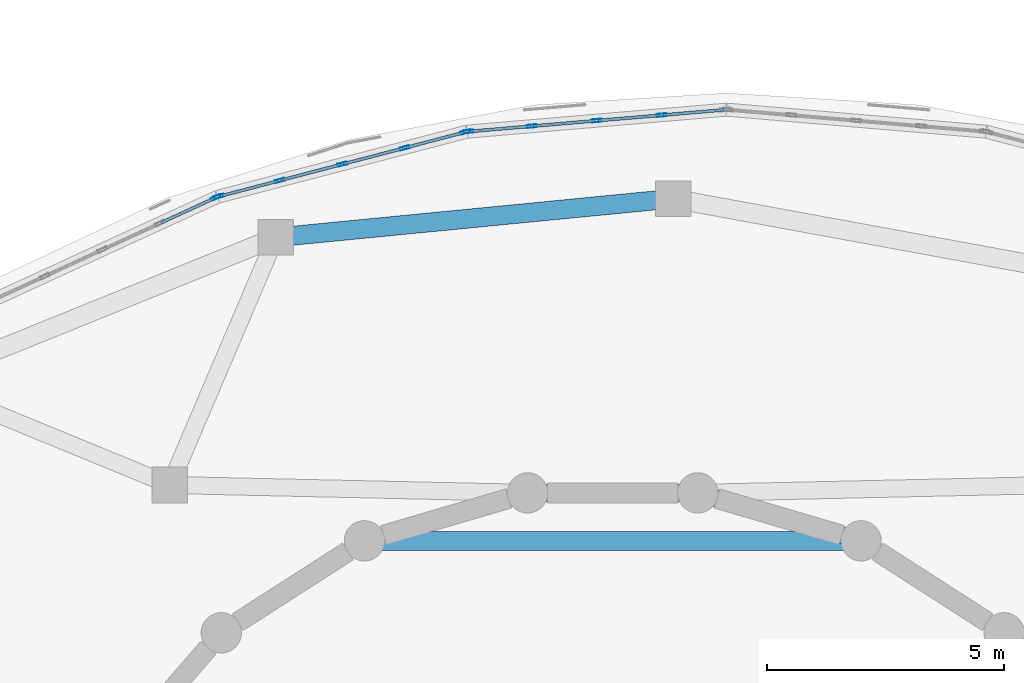
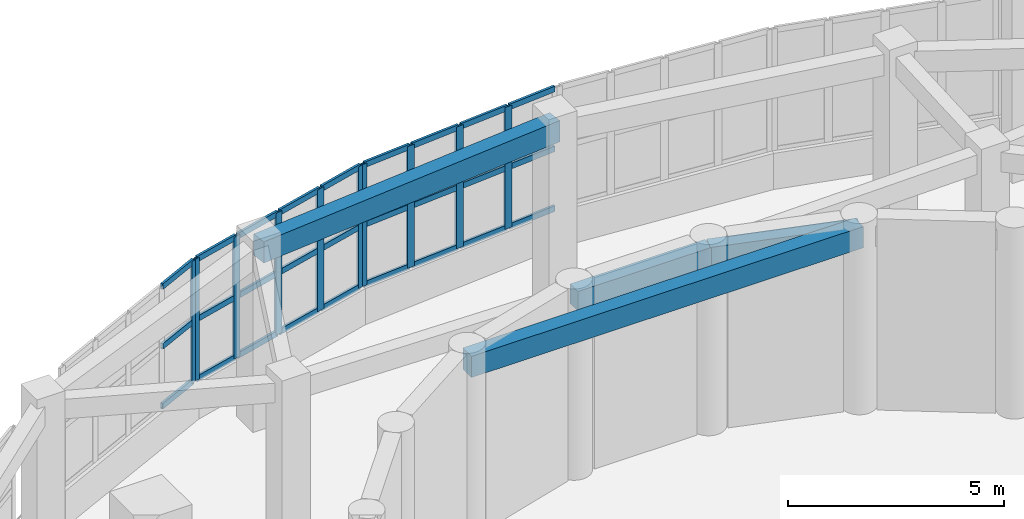
# One storey, part 46 of 96: 37 members, 4 beams, 3 elements without a shape of their own.
"""IFC4 building model written with IfcOpenShell, lengths in metres."""

import ifcopenshell
import ifcopenshell.guid

model = None  # the IFC model being written
_history = None  # IfcOwnerHistory: only IFC2X3 demands one
_inside = {}  # id of a spatial element -> (the spatial element, [elements in it])
_under = {}  # id of a project, library or spatial element -> (it, [spatial elements below it])
_declared = {}  # id of a project -> (the project, [libraries it declares])
_typed = {}  # id of a type object -> (the type object, [elements of that type])
_made_of = {}  # id of a material, layer set ... -> (it, [elements and type objects made of it])


def new_model(schema):
    """Start an empty IFC model of exactly this schema.

    Asked for "IFC4X3", IfcOpenShell would pick the latest addendum, in which some entities
    have other attributes; the version numbers below select the first issue.
    IFC2X3 requires an IfcOwnerHistory on every rooted entity: one is made here for all.
    """
    global model, _history
    if schema == "IFC4X3":
        model = ifcopenshell.file(schema_version=(4, 3, 0, 0))
    else:
        model = ifcopenshell.file(schema=schema)
    _inside.clear()
    _under.clear()
    _declared.clear()
    _typed.clear()
    _made_of.clear()
    _history = None
    if model.schema == "IFC2X3":
        org = make("IfcOrganization", Name="unknown")
        user = make(
            "IfcPersonAndOrganization",
            ThePerson=make("IfcPerson", FamilyName="unknown"),
            TheOrganization=org,
        )
        app = make(
            "IfcApplication",
            ApplicationDeveloper=org,
            Version="unknown",
            ApplicationFullName="unknown",
            ApplicationIdentifier="unknown",
        )
        _history = make(
            "IfcOwnerHistory",
            OwningUser=user,
            OwningApplication=app,
            ChangeAction="ADDED",
            CreationDate=0,
        )
    return model


def make(cls, **values):
    """One entity of the class cls with the attributes given. An attribute that is None is left unset."""
    return model.create_entity(
        cls, **{name: value for name, value in values.items() if value is not None}
    )


def rooted(cls, **values):
    """An entity with a GlobalId (a new one), such as an element, a storey or a relation."""
    return make(cls, GlobalId=ifcopenshell.guid.new(), OwnerHistory=_history, **values)


def si_unit(unit_type, name, prefix=None):
    """IfcSIUnit, for example si_unit("LENGTHUNIT", "METRE", prefix="MILLI")."""
    return make("IfcSIUnit", UnitType=unit_type, Prefix=prefix, Name=name)


def assignment(units):
    """IfcUnitAssignment: the units of a project."""
    return None if units is None else make("IfcUnitAssignment", Units=units)


def point(xyz):
    """IfcCartesianPoint."""
    return None if xyz is None else make("IfcCartesianPoint", Coordinates=xyz)


def direction(xyz):
    """IfcDirection."""
    return None if xyz is None else make("IfcDirection", DirectionRatios=xyz)


def frame(location, z_axis=None, x_axis=None):
    """IfcAxis2Placement3D, a coordinate frame: its origin and axes. An axis left out is left unset."""
    return make(
        "IfcAxis2Placement3D",
        Location=point(location),
        Axis=direction(z_axis),
        RefDirection=direction(x_axis),
    )


def frame_2d(location, x_axis=None):
    """IfcAxis2Placement2D, a coordinate frame in the plane: its origin and x axis."""
    return make(
        "IfcAxis2Placement2D", Location=point(location), RefDirection=direction(x_axis)
    )


def origin():
    """The frame at (0, 0, 0) with its axes left unset."""
    return frame((0.0, 0.0, 0.0))


def origin_2d():
    """The frame at (0, 0) in the plane with its x axis left unset."""
    return frame_2d((0.0, 0.0))


def place(relative_to, where):
    """IfcLocalPlacement: puts the frame where relative to a parent placement (None: the world)."""
    return make(
        "IfcLocalPlacement", PlacementRelTo=relative_to, RelativePlacement=where
    )


def context(
    kind, dimensions, precision=None, world=None, true_north=None, identifier=None
):
    """IfcGeometricRepresentationContext, for example the 3D "Model" context."""
    return make(
        "IfcGeometricRepresentationContext",
        ContextIdentifier=identifier,
        ContextType=kind,
        CoordinateSpaceDimension=dimensions,
        Precision=precision,
        WorldCoordinateSystem=world,
        TrueNorth=true_north,
    )


def subcontext(parent, identifier, kind, view, scale=None):
    """IfcGeometricRepresentationSubContext, for example "Body" below "Model"."""
    return make(
        "IfcGeometricRepresentationSubContext",
        ContextIdentifier=identifier,
        ContextType=kind,
        ParentContext=parent,
        TargetScale=scale,
        TargetView=view,
    )


def project(units=None, contexts=None):
    """IfcProject with its units and contexts."""
    return rooted(
        "IfcProject",
        Name="project",
        RepresentationContexts=contexts,
        UnitsInContext=assignment(units),
    )


def spatial(cls, under=None, at=None, **own):
    """A site, building, storey or space (cls), placed at a placement, below another one or the project."""
    s = rooted(cls, ObjectPlacement=at, **own)
    if under is not None:
        _under.setdefault(under.id(), (under, []))[1].append(s)
    return s


def profile(cls, at=None, kind="AREA", **sizes):
    """A parametric profile (cls). Its sizes go by their IFC names, for example OverallWidth=200.0."""
    return make(cls, ProfileType=kind, Position=at, **sizes)


def rectangle(**sizes):
    """IfcRectangleProfileDef."""
    return profile("IfcRectangleProfileDef", **sizes)


def hollow_rectangle(**sizes):
    """IfcRectangleHollowProfileDef."""
    return profile("IfcRectangleHollowProfileDef", **sizes)


def extrude(swept, where, along, depth):
    """IfcExtrudedAreaSolid: the profile swept, set in the frame where, extruded along a direction by depth."""
    return make(
        "IfcExtrudedAreaSolid",
        SweptArea=swept,
        Position=where,
        ExtrudedDirection=direction(along),
        Depth=depth,
    )


def shape(context_of_items, identifier, shape_type, items):
    """IfcShapeRepresentation: the items that make up one representation, for example the "Body"."""
    return make(
        "IfcShapeRepresentation",
        ContextOfItems=context_of_items,
        RepresentationIdentifier=identifier,
        RepresentationType=shape_type,
        Items=items,
    )


def material(Name=None, Category=None):
    """IfcMaterial."""
    return make("IfcMaterial", Name=Name, Category=Category)


def layer(
    of_material, thickness, ventilated=None, Name=None, Category=None, Priority=None
):
    """IfcMaterialLayer: one layer of a wall or slab, of a material (None: an air gap)."""
    return make(
        "IfcMaterialLayer",
        Material=of_material,
        LayerThickness=thickness,
        IsVentilated=ventilated,
        Name=Name,
        Category=Category,
        Priority=Priority,
    )


def layer_set(layers, Name=None):
    """IfcMaterialLayerSet."""
    return make("IfcMaterialLayerSet", MaterialLayers=layers, LayerSetName=Name)


def material_profile(
    of_material, cross_section, Name=None, Category=None, Priority=None
):
    """IfcMaterialProfile: a cross section and its material."""
    return make(
        "IfcMaterialProfile",
        Name=Name,
        Material=of_material,
        Profile=cross_section,
        Priority=Priority,
        Category=Category,
    )


def profile_set(profiles, Name=None, composite=None):
    """IfcMaterialProfileSet."""
    return make(
        "IfcMaterialProfileSet",
        Name=Name,
        MaterialProfiles=profiles,
        CompositeProfile=composite,
    )


def made_of(thing, what):
    """Note that an element or type object is made of a material, layer set ...; save() writes the relation."""
    if what is not None:
        _made_of.setdefault(what.id(), (what, []))[1].append(thing)
    return thing


def type_object(cls, material=None, **own):
    """A type object (cls), such as IfcWallType, which elements share."""
    return made_of(rooted(cls, **own), material)


def element(
    cls,
    number,
    at=None,
    inside=None,
    cuts=None,
    type_object=None,
    material=None,
    context=None,
    identifier="Body",
    shape_type=None,
    held_by="IfcProductDefinitionShape",
    body=None,
    shapes=None,
    **own,
):
    """One element of the class cls, such as IfcWall. Its Tag is "e" and its number.

    at: its placement. inside: the storey or other place that contains it. cuts: it is an
    opening in that element (IfcRelVoidsElement). A single representation is given by context,
    identifier, shape_type and body (its items); several are given by shapes. held_by: the class
    of the entity that holds the representations. save() writes the other relations.
    """
    e = rooted(cls, Tag="e%d" % number, ObjectPlacement=at, **own)
    if body is not None:
        shapes = [shape(context, identifier, shape_type, body)]
    if shapes is not None:
        e.Representation = make(held_by, Representations=shapes)
    if inside is not None:
        _inside.setdefault(inside.id(), (inside, []))[1].append(e)
    if cuts is not None:
        rooted(
            "IfcRelVoidsElement", RelatingBuildingElement=cuts, RelatedOpeningElement=e
        )
    if type_object is not None:
        _typed.setdefault(type_object.id(), (type_object, []))[1].append(e)
    return made_of(e, material)


def aggregate(whole, parts):
    """IfcRelAggregates: a whole, such as a stair, and the parts it consists of."""
    return rooted("IfcRelAggregates", RelatingObject=whole, RelatedObjects=parts)


def save(model, path):
    """Write the relations noted so far, then the file.

    IfcRelAggregates (storeys below a building ...), IfcRelContainedInSpatialStructure (elements
    in a storey), IfcRelDefinesByType, IfcRelAssociatesMaterial and IfcRelDeclares: one each for
    every whole, place, type object, material and project.
    """
    for whole, parts in _under.values():
        aggregate(whole, parts)
    for where, things in _inside.values():
        rooted(
            "IfcRelContainedInSpatialStructure",
            RelatedElements=things,
            RelatingStructure=where,
        )
    for kind, things in _typed.values():
        rooted("IfcRelDefinesByType", RelatedObjects=things, RelatingType=kind)
    for what, things in _made_of.values():
        rooted("IfcRelAssociatesMaterial", RelatedObjects=things, RelatingMaterial=what)
    for by, libraries in _declared.values():
        rooted("IfcRelDeclares", RelatingContext=by, RelatedDefinitions=libraries)
    model.write(path)


model = new_model("IFC4")

# Units and contexts
model_context = context("Model", 3, precision=1e-05, world=origin(), true_north=direction((0.0, 1.0)))
body_context = subcontext(model_context, "Body", "Model", "MODEL_VIEW")
ifc_project = project(units=[si_unit("LENGTHUNIT", "METRE"), si_unit("AREAUNIT", "SQUARE_METRE"), si_unit("VOLUMEUNIT", "CUBIC_METRE"), si_unit("PLANEANGLEUNIT", "RADIAN"), si_unit("MASSUNIT", "GRAM", prefix="KILO")], contexts=[model_context])

# Site, building, storey
site_placement = place(None, origin())
site = spatial("IfcSite", under=ifc_project, at=site_placement, CompositionType="ELEMENT")
building_placement = place(site_placement, origin())
building = spatial("IfcBuilding", under=site, at=building_placement, Name="Pelvatis Terrace Science Centre", CompositionType="ELEMENT")
storey_placement = place(building_placement, origin())
storey = spatial("IfcBuildingStorey", under=building, at=storey_placement, Name="L00", CompositionType="ELEMENT", Elevation=0.0)

# Beams
ifc_material_1 = material(Name="Concrete C35/45", Category="concrete")
ifc_material_profile_1 = material_profile(ifc_material_1, rectangle(XDim=0.360107421875, YDim=0.550048828125, at=origin_2d()), Name="RC-BM 360x550")
ifc_profile_set_1 = profile_set([ifc_material_profile_1], Name="Concrete C35/45")
beam_type_1 = type_object("IfcBeamType", Name="BM-RC-360x550", PredefinedType="BEAM", material=ifc_profile_set_1)
beam_1_placement = place(storey_placement, frame((114.43408203125, 97.261474609375, 4.864990234375), z_axis=(-0.959499815423, 0.281709254734, 0.0), x_axis=(-0.281709254734, -0.959499815423, 0.0)))
element("IfcBeam", 1, at=beam_1_placement, inside=storey, type_object=beam_type_1, Name="Beam BM-L00-2177", PredefinedType="BEAM", context=body_context, shape_type="SweptSolid", body=[
    extrude(rectangle(XDim=0.360107421875, YDim=0.550048828125, at=origin_2d()), origin(), (0.0, 0.0, 1.0), 3.586181640625),
])
beam_2_placement = place(storey_placement, frame((110.9931640625, 98.271728515625, 4.864990234375), z_axis=(-1.0, 0.0, 0.0), x_axis=(0.0, -1.0, 0.0)))
element("IfcBeam", 2, at=beam_2_placement, inside=storey, type_object=beam_type_1, Name="Beam BM-L00-2179", PredefinedType="BEAM", context=body_context, shape_type="SweptSolid", body=[
    extrude(rectangle(XDim=0.360107421875, YDim=0.550048828125, at=origin_2d()), origin(), (0.0, 0.0, 1.0), 3.58642578125),
])
ifc_material_2 = material(Name="Concrete C35/45", Category="concrete")
ifc_material_profile_2 = material_profile(ifc_material_2, rectangle(XDim=0.39990234375, YDim=0.60009765625, at=origin_2d()), Name="RC-BM 400x600")
ifc_profile_set_2 = profile_set([ifc_material_profile_2], Name="Concrete C35/45")
beam_type_2 = type_object("IfcBeamType", Name="BM-RC-400x600", PredefinedType="BEAM", material=ifc_profile_set_2)
beam_3_placement = place(storey_placement, frame((114.43408203125, 97.261474609375, 4.840087890625), z_axis=(-1.0, 0.0, 0.0), x_axis=(0.0, -1.0, 0.0)))
element("IfcBeam", 3, at=beam_3_placement, inside=storey, type_object=beam_type_2, Name="Beam BM-L00-2178", PredefinedType="BEAM", context=body_context, shape_type="SweptSolid", body=[
    extrude(rectangle(XDim=0.39990234375, YDim=0.60009765625, at=origin_2d()), origin(), (0.0, 0.0, 1.0), 10.46826171875),
])
beam_4_placement = place(storey_placement, frame((110.4716796875, 104.4736328125, 4.840087890625), z_axis=(-0.995278052194, -0.097064920652, 0.0), x_axis=(0.097064920652, -0.995278052194, 0.0)))
element("IfcBeam", 4, at=beam_4_placement, inside=storey, type_object=beam_type_2, Name="Beam BM-L00-2267", PredefinedType="BEAM", context=body_context, shape_type="SweptSolid", body=[
    extrude(rectangle(XDim=0.39990234375, YDim=0.60009765625, at=origin_2d()), origin(), (0.0, 0.0, 1.0), 8.416015625),
])

# Curtain wall, members
ifc_material_3 = material(Name="Bronze-anodised aluminium and laminated glass", Category="aluminium")
ifc_layer = layer(ifc_material_3, 0.199951171875)
ifc_layer_set = layer_set([ifc_layer], Name="Bronze-anodised aluminium and laminated glass")
curtain_wall_type = type_object("IfcCurtainWallType", Name="CW-RIBBON-B", PredefinedType="NOTDEFINED", material=ifc_layer_set)
curtain_wall_1_placement = place(storey_placement, origin())
curtain_wall_1 = element("IfcCurtainWall", 5, at=curtain_wall_1_placement, inside=storey, type_object=curtain_wall_type, Name="Ribbon curtain wall CW-108 (L00)", PredefinedType="NOTDEFINED")
ifc_material_4 = material(Name="Bronze-anodised aluminium 6063-T6", Category="aluminium")
ifc_material_profile_3 = material_profile(ifc_material_4, hollow_rectangle(XDim=0.06494140625, YDim=0.199951171875, WallThickness=0.00439453125, at=origin_2d()), Name="ALU-MUL 65x200")
ifc_profile_set_3 = profile_set([ifc_material_profile_3], Name="Bronze-anodised aluminium 6063-T6")
member_type_1 = type_object("IfcMemberType", Name="CWM-65x200", PredefinedType="MULLION", material=ifc_profile_set_3)
member_1_placement = place(storey_placement, frame((110.23193359375, 106.23388671875, 1.02001953125), z_axis=(0.0, 0.0, 1.0), x_axis=(0.084487507255, -0.996424538597, 0.0)))
member_1 = element("IfcMember", 6, at=member_1_placement, type_object=member_type_1, Name="CW-108 mullion 2", PredefinedType="MULLION", context=body_context, shape_type="SweptSolid", body=[
    extrude(hollow_rectangle(XDim=0.06494140625, YDim=0.199951171875, WallThickness=0.00439453125, at=origin_2d()), origin(), (0.0, 0.0, 1.0), 3.43994140625),
])
member_2_placement = place(storey_placement, frame((108.86376953125, 106.117919921875, 1.02001953125), z_axis=(0.0, 0.0, 1.0), x_axis=(0.084487507255, -0.996424538597, 0.0)))
member_2 = element("IfcMember", 7, at=member_2_placement, type_object=member_type_1, Name="CW-108 mullion 3", PredefinedType="MULLION", context=body_context, shape_type="SweptSolid", body=[
    extrude(hollow_rectangle(XDim=0.06494140625, YDim=0.199951171875, WallThickness=0.00439453125, at=origin_2d()), origin(), (0.0, 0.0, 1.0), 3.43994140625),
])
member_3_placement = place(storey_placement, frame((107.495849609375, 106.001953125, 1.02001953125), z_axis=(0.0, 0.0, 1.0), x_axis=(0.084487507255, -0.996424538597, 0.0)))
member_3 = element("IfcMember", 8, at=member_3_placement, type_object=member_type_1, Name="CW-108 mullion 4", PredefinedType="MULLION", context=body_context, shape_type="SweptSolid", body=[
    extrude(hollow_rectangle(XDim=0.06494140625, YDim=0.199951171875, WallThickness=0.00439453125, at=origin_2d()), origin(), (0.0, 0.0, 1.0), 3.43994140625),
])
member_4_placement = place(storey_placement, frame((106.16015625, 105.888671875, 1.02001953125), z_axis=(0.0, 0.0, 1.0), x_axis=(0.084487507255, -0.996424538597, 0.0)))
member_4 = element("IfcMember", 9, at=member_4_placement, type_object=member_type_1, Name="CW-108 mullion 5", PredefinedType="MULLION", context=body_context, shape_type="SweptSolid", body=[
    extrude(hollow_rectangle(XDim=0.06494140625, YDim=0.199951171875, WallThickness=0.00439453125, at=origin_2d()), origin(), (0.0, 0.0, 1.0), 3.43994140625),
])

curtain_wall_2_placement = place(storey_placement, origin())
curtain_wall_2 = element("IfcCurtainWall", 10, at=curtain_wall_2_placement, inside=storey, type_object=curtain_wall_type, Name="Ribbon curtain wall CW-109 (L00)", PredefinedType="NOTDEFINED")
member_5_placement = place(storey_placement, frame((106.09619140625, 105.877685546875, 1.02001953125), z_axis=(0.0, 0.0, 1.0), x_axis=(0.252698088449, -0.967545180389, 0.0)))
member_5 = element("IfcMember", 11, at=member_5_placement, type_object=member_type_1, Name="CW-109 mullion 1", PredefinedType="MULLION", context=body_context, shape_type="SweptSolid", body=[
    extrude(hollow_rectangle(XDim=0.06494140625, YDim=0.199951171875, WallThickness=0.00439453125, at=origin_2d()), origin(), (0.0, 0.0, 1.0), 3.43994140625),
])
member_6_placement = place(storey_placement, frame((104.812255859375, 105.54248046875, 1.02001953125), z_axis=(0.0, 0.0, 1.0), x_axis=(0.252698088449, -0.967545180389, 0.0)))
member_6 = element("IfcMember", 12, at=member_6_placement, type_object=member_type_1, Name="CW-109 mullion 2", PredefinedType="MULLION", context=body_context, shape_type="SweptSolid", body=[
    extrude(hollow_rectangle(XDim=0.06494140625, YDim=0.199951171875, WallThickness=0.00439453125, at=origin_2d()), origin(), (0.0, 0.0, 1.0), 3.43994140625),
])
member_7_placement = place(storey_placement, frame((103.49658203125, 105.19873046875, 1.02001953125), z_axis=(0.0, 0.0, 1.0), x_axis=(0.252698088449, -0.967545180389, 0.0)))
member_7 = element("IfcMember", 13, at=member_7_placement, type_object=member_type_1, Name="CW-109 mullion 3", PredefinedType="MULLION", context=body_context, shape_type="SweptSolid", body=[
    extrude(hollow_rectangle(XDim=0.06494140625, YDim=0.199951171875, WallThickness=0.00439453125, at=origin_2d()), origin(), (0.0, 0.0, 1.0), 3.43994140625),
])
member_8_placement = place(storey_placement, frame((102.18115234375, 104.855224609375, 1.02001953125), z_axis=(0.0, 0.0, 1.0), x_axis=(0.252698088449, -0.967545180389, 0.0)))
member_8 = element("IfcMember", 14, at=member_8_placement, type_object=member_type_1, Name="CW-109 mullion 4", PredefinedType="MULLION", context=body_context, shape_type="SweptSolid", body=[
    extrude(hollow_rectangle(XDim=0.06494140625, YDim=0.199951171875, WallThickness=0.00439453125, at=origin_2d()), origin(), (0.0, 0.0, 1.0), 3.43994140625),
])
member_9_placement = place(storey_placement, frame((100.897216796875, 104.52001953125, 1.02001953125), z_axis=(0.0, 0.0, 1.0), x_axis=(0.252698088449, -0.967545180389, 0.0)))
member_9 = element("IfcMember", 15, at=member_9_placement, type_object=member_type_1, Name="CW-109 mullion 5", PredefinedType="MULLION", context=body_context, shape_type="SweptSolid", body=[
    extrude(hollow_rectangle(XDim=0.06494140625, YDim=0.199951171875, WallThickness=0.00439453125, at=origin_2d()), origin(), (0.0, 0.0, 1.0), 3.43994140625),
])

# Curtain wall, member
curtain_wall_3_placement = place(storey_placement, origin())
curtain_wall_3 = element("IfcCurtainWall", 16, at=curtain_wall_3_placement, inside=storey, type_object=curtain_wall_type, Name="Ribbon curtain wall CW-110 (L00)", PredefinedType="NOTDEFINED")
member_10_placement = place(storey_placement, frame((100.836181640625, 104.498046875, 1.02001953125), z_axis=(0.0, 0.0, 1.0), x_axis=(0.41805650264, -0.908421026067, 0.0)))
member_10 = element("IfcMember", 17, at=member_10_placement, type_object=member_type_1, Name="CW-110 mullion 1", PredefinedType="MULLION", context=body_context, shape_type="SweptSolid", body=[
    extrude(hollow_rectangle(XDim=0.06494140625, YDim=0.199951171875, WallThickness=0.00439453125, at=origin_2d()), origin(), (0.0, 0.0, 1.0), 3.43994140625),
])

# Member
ifc_material_5 = material(Name="Bronze-anodised aluminium 6063-T6", Category="aluminium")
ifc_material_profile_4 = material_profile(ifc_material_5, hollow_rectangle(XDim=0.06494140625, YDim=0.159912109375, WallThickness=0.00390625, at=origin_2d()), Name="ALU-TRN 65x160")
ifc_profile_set_4 = profile_set([ifc_material_profile_4], Name="Bronze-anodised aluminium 6063-T6")
member_type_2 = type_object("IfcMemberType", Name="CWT-65x160", PredefinedType="USERDEFINED", material=ifc_profile_set_4)
member_11_placement = place(storey_placement, frame((111.53515625, 106.344482421875, 1.052490234375), z_axis=(-0.99642994279, -0.084423747314, 0.0), x_axis=(0.084423747314, -0.99642994279, 0.0)))
member_11 = element("IfcMember", 18, at=member_11_placement, type_object=member_type_2, Name="CW-108 transom 1.1", ObjectType="TRANSOM", PredefinedType="USERDEFINED", context=body_context, shape_type="SweptSolid", body=[
    extrude(hollow_rectangle(XDim=0.06494140625, YDim=0.159912109375, WallThickness=0.00390625, at=origin_2d()), origin(), (0.0, 0.0, 1.0), 1.275390625),
])

member_12_placement = place(storey_placement, frame((111.53515625, 106.344482421875, 2.739990234375), z_axis=(-0.99642994279, -0.084423747314, 0.0), x_axis=(0.084423747314, -0.99642994279, 0.0)))
member_12 = element("IfcMember", 19, at=member_12_placement, type_object=member_type_2, Name="CW-108 transom 1.2", ObjectType="TRANSOM", PredefinedType="USERDEFINED", context=body_context, shape_type="SweptSolid", body=[
    extrude(hollow_rectangle(XDim=0.06494140625, YDim=0.159912109375, WallThickness=0.00390625, at=origin_2d()), origin(), (0.0, 0.0, 1.0), 1.275390625),
])

member_13_placement = place(storey_placement, frame((111.53515625, 106.344482421875, 4.427490234375), z_axis=(-0.99642994279, -0.084423747314, 0.0), x_axis=(0.084423747314, -0.99642994279, 0.0)))
member_13 = element("IfcMember", 20, at=member_13_placement, type_object=member_type_2, Name="CW-108 transom 1.3", ObjectType="TRANSOM", PredefinedType="USERDEFINED", context=body_context, shape_type="SweptSolid", body=[
    extrude(hollow_rectangle(XDim=0.06494140625, YDim=0.159912109375, WallThickness=0.00390625, at=origin_2d()), origin(), (0.0, 0.0, 1.0), 1.275390625),
])

member_14_placement = place(storey_placement, frame((110.199462890625, 106.231201171875, 1.052490234375), z_axis=(-0.996434159171, -0.084373967768, 0.0), x_axis=(0.084373967768, -0.996434159171, 0.0)))
member_14 = element("IfcMember", 21, at=member_14_placement, type_object=member_type_2, Name="CW-108 transom 2.1", ObjectType="TRANSOM", PredefinedType="USERDEFINED", context=body_context, shape_type="SweptSolid", body=[
    extrude(hollow_rectangle(XDim=0.06494140625, YDim=0.159912109375, WallThickness=0.00390625, at=origin_2d()), origin(), (0.0, 0.0, 1.0), 1.307861328125),
])

member_15_placement = place(storey_placement, frame((110.199462890625, 106.231201171875, 2.739990234375), z_axis=(-0.996434159171, -0.084373967768, 0.0), x_axis=(0.084373967768, -0.996434159171, 0.0)))
member_15 = element("IfcMember", 22, at=member_15_placement, type_object=member_type_2, Name="CW-108 transom 2.2", ObjectType="TRANSOM", PredefinedType="USERDEFINED", context=body_context, shape_type="SweptSolid", body=[
    extrude(hollow_rectangle(XDim=0.06494140625, YDim=0.159912109375, WallThickness=0.00390625, at=origin_2d()), origin(), (0.0, 0.0, 1.0), 1.307861328125),
])

member_16_placement = place(storey_placement, frame((110.199462890625, 106.231201171875, 4.427490234375), z_axis=(-0.996434159171, -0.084373967768, 0.0), x_axis=(0.084373967768, -0.996434159171, 0.0)))
member_16 = element("IfcMember", 23, at=member_16_placement, type_object=member_type_2, Name="CW-108 transom 2.3", ObjectType="TRANSOM", PredefinedType="USERDEFINED", context=body_context, shape_type="SweptSolid", body=[
    extrude(hollow_rectangle(XDim=0.06494140625, YDim=0.159912109375, WallThickness=0.00390625, at=origin_2d()), origin(), (0.0, 0.0, 1.0), 1.307861328125),
])

member_17_placement = place(storey_placement, frame((108.83154296875, 106.115234375, 1.052490234375), z_axis=(-0.996419782753, -0.084543577746, 0.0), x_axis=(0.084543577746, -0.996419782753, 0.0)))
member_17 = element("IfcMember", 24, at=member_17_placement, type_object=member_type_2, Name="CW-108 transom 3.1", ObjectType="TRANSOM", PredefinedType="USERDEFINED", context=body_context, shape_type="SweptSolid", body=[
    extrude(hollow_rectangle(XDim=0.06494140625, YDim=0.159912109375, WallThickness=0.00390625, at=origin_2d()), origin(), (0.0, 0.0, 1.0), 1.30810546875),
])

member_18_placement = place(storey_placement, frame((108.83154296875, 106.115234375, 2.739990234375), z_axis=(-0.996419782753, -0.084543577746, 0.0), x_axis=(0.084543577746, -0.996419782753, 0.0)))
member_18 = element("IfcMember", 25, at=member_18_placement, type_object=member_type_2, Name="CW-108 transom 3.2", ObjectType="TRANSOM", PredefinedType="USERDEFINED", context=body_context, shape_type="SweptSolid", body=[
    extrude(hollow_rectangle(XDim=0.06494140625, YDim=0.159912109375, WallThickness=0.00390625, at=origin_2d()), origin(), (0.0, 0.0, 1.0), 1.30810546875),
])

member_19_placement = place(storey_placement, frame((108.83154296875, 106.115234375, 4.427490234375), z_axis=(-0.996419782753, -0.084543577746, 0.0), x_axis=(0.084543577746, -0.996419782753, 0.0)))
member_19 = element("IfcMember", 26, at=member_19_placement, type_object=member_type_2, Name="CW-108 transom 3.3", ObjectType="TRANSOM", PredefinedType="USERDEFINED", context=body_context, shape_type="SweptSolid", body=[
    extrude(hollow_rectangle(XDim=0.06494140625, YDim=0.159912109375, WallThickness=0.00390625, at=origin_2d()), origin(), (0.0, 0.0, 1.0), 1.30810546875),
])

member_20_placement = place(storey_placement, frame((107.46337890625, 105.999267578125, 1.052490234375), z_axis=(-0.996431306843, -0.084407646239, 0.0), x_axis=(0.084407646239, -0.996431306843, 0.0)))
member_20 = element("IfcMember", 27, at=member_20_placement, type_object=member_type_2, Name="CW-108 transom 4.1", ObjectType="TRANSOM", PredefinedType="USERDEFINED", context=body_context, shape_type="SweptSolid", body=[
    extrude(hollow_rectangle(XDim=0.06494140625, YDim=0.159912109375, WallThickness=0.00390625, at=origin_2d()), origin(), (0.0, 0.0, 1.0), 1.275634765625),
])

member_21_placement = place(storey_placement, frame((107.46337890625, 105.999267578125, 2.739990234375), z_axis=(-0.996431306843, -0.084407646239, 0.0), x_axis=(0.084407646239, -0.996431306843, 0.0)))
member_21 = element("IfcMember", 28, at=member_21_placement, type_object=member_type_2, Name="CW-108 transom 4.2", ObjectType="TRANSOM", PredefinedType="USERDEFINED", context=body_context, shape_type="SweptSolid", body=[
    extrude(hollow_rectangle(XDim=0.06494140625, YDim=0.159912109375, WallThickness=0.00390625, at=origin_2d()), origin(), (0.0, 0.0, 1.0), 1.275634765625),
])

member_22_placement = place(storey_placement, frame((107.46337890625, 105.999267578125, 4.427490234375), z_axis=(-0.996431306843, -0.084407646239, 0.0), x_axis=(0.084407646239, -0.996431306843, 0.0)))
member_22 = element("IfcMember", 29, at=member_22_placement, type_object=member_type_2, Name="CW-108 transom 4.3", ObjectType="TRANSOM", PredefinedType="USERDEFINED", context=body_context, shape_type="SweptSolid", body=[
    extrude(hollow_rectangle(XDim=0.06494140625, YDim=0.159912109375, WallThickness=0.00390625, at=origin_2d()), origin(), (0.0, 0.0, 1.0), 1.275634765625),
])

aggregate(curtain_wall_1, [member_1, member_2, member_3, member_4, member_11, member_12, member_13, member_14, member_15, member_16, member_17, member_18, member_19, member_20, member_21, member_22])

member_23_placement = place(storey_placement, frame((106.064697265625, 105.86962890625, 1.052490234375), z_axis=(-0.96750417986, -0.252855021611, 0.0), x_axis=(0.252855021611, -0.96750417986, 0.0)))
member_23 = element("IfcMember", 30, at=member_23_placement, type_object=member_type_2, Name="CW-109 transom 1.1", ObjectType="TRANSOM", PredefinedType="USERDEFINED", context=body_context, shape_type="SweptSolid", body=[
    extrude(hollow_rectangle(XDim=0.06494140625, YDim=0.159912109375, WallThickness=0.00390625, at=origin_2d()), origin(), (0.0, 0.0, 1.0), 1.261962890625),
])

member_24_placement = place(storey_placement, frame((106.064697265625, 105.86962890625, 2.739990234375), z_axis=(-0.96750417986, -0.252855021611, 0.0), x_axis=(0.252855021611, -0.96750417986, 0.0)))
member_24 = element("IfcMember", 31, at=member_24_placement, type_object=member_type_2, Name="CW-109 transom 1.2", ObjectType="TRANSOM", PredefinedType="USERDEFINED", context=body_context, shape_type="SweptSolid", body=[
    extrude(hollow_rectangle(XDim=0.06494140625, YDim=0.159912109375, WallThickness=0.00390625, at=origin_2d()), origin(), (0.0, 0.0, 1.0), 1.261962890625),
])

member_25_placement = place(storey_placement, frame((106.064697265625, 105.86962890625, 4.427490234375), z_axis=(-0.96750417986, -0.252855021611, 0.0), x_axis=(0.252855021611, -0.96750417986, 0.0)))
member_25 = element("IfcMember", 32, at=member_25_placement, type_object=member_type_2, Name="CW-109 transom 1.3", ObjectType="TRANSOM", PredefinedType="USERDEFINED", context=body_context, shape_type="SweptSolid", body=[
    extrude(hollow_rectangle(XDim=0.06494140625, YDim=0.159912109375, WallThickness=0.00390625, at=origin_2d()), origin(), (0.0, 0.0, 1.0), 1.261962890625),
])

member_26_placement = place(storey_placement, frame((104.78076171875, 105.5341796875, 1.052490234375), z_axis=(-0.967549151995, -0.252682881246, 0.0), x_axis=(0.252682881246, -0.967549151995, 0.0)))
member_26 = element("IfcMember", 33, at=member_26_placement, type_object=member_type_2, Name="CW-109 transom 2.1", ObjectType="TRANSOM", PredefinedType="USERDEFINED", context=body_context, shape_type="SweptSolid", body=[
    extrude(hollow_rectangle(XDim=0.06494140625, YDim=0.159912109375, WallThickness=0.00390625, at=origin_2d()), origin(), (0.0, 0.0, 1.0), 1.294677734375),
])

member_27_placement = place(storey_placement, frame((104.78076171875, 105.5341796875, 2.739990234375), z_axis=(-0.967549151995, -0.252682881246, 0.0), x_axis=(0.252682881246, -0.967549151995, 0.0)))
member_27 = element("IfcMember", 34, at=member_27_placement, type_object=member_type_2, Name="CW-109 transom 2.2", ObjectType="TRANSOM", PredefinedType="USERDEFINED", context=body_context, shape_type="SweptSolid", body=[
    extrude(hollow_rectangle(XDim=0.06494140625, YDim=0.159912109375, WallThickness=0.00390625, at=origin_2d()), origin(), (0.0, 0.0, 1.0), 1.294677734375),
])

member_28_placement = place(storey_placement, frame((104.78076171875, 105.5341796875, 4.427490234375), z_axis=(-0.967549151995, -0.252682881246, 0.0), x_axis=(0.252682881246, -0.967549151995, 0.0)))
member_28 = element("IfcMember", 35, at=member_28_placement, type_object=member_type_2, Name="CW-109 transom 2.3", ObjectType="TRANSOM", PredefinedType="USERDEFINED", context=body_context, shape_type="SweptSolid", body=[
    extrude(hollow_rectangle(XDim=0.06494140625, YDim=0.159912109375, WallThickness=0.00390625, at=origin_2d()), origin(), (0.0, 0.0, 1.0), 1.294677734375),
])

member_29_placement = place(storey_placement, frame((103.46533203125, 105.190673828125, 1.052490234375), z_axis=(-0.967549151995, -0.252682881246, 0.0), x_axis=(0.252682881246, -0.967549151995, 0.0)))
member_29 = element("IfcMember", 36, at=member_29_placement, type_object=member_type_2, Name="CW-109 transom 3.1", ObjectType="TRANSOM", PredefinedType="USERDEFINED", context=body_context, shape_type="SweptSolid", body=[
    extrude(hollow_rectangle(XDim=0.06494140625, YDim=0.159912109375, WallThickness=0.00390625, at=origin_2d()), origin(), (0.0, 0.0, 1.0), 1.294677734375),
])

member_30_placement = place(storey_placement, frame((103.46533203125, 105.190673828125, 2.739990234375), z_axis=(-0.967549151995, -0.252682881246, 0.0), x_axis=(0.252682881246, -0.967549151995, 0.0)))
member_30 = element("IfcMember", 37, at=member_30_placement, type_object=member_type_2, Name="CW-109 transom 3.2", ObjectType="TRANSOM", PredefinedType="USERDEFINED", context=body_context, shape_type="SweptSolid", body=[
    extrude(hollow_rectangle(XDim=0.06494140625, YDim=0.159912109375, WallThickness=0.00390625, at=origin_2d()), origin(), (0.0, 0.0, 1.0), 1.294677734375),
])

member_31_placement = place(storey_placement, frame((103.46533203125, 105.190673828125, 4.427490234375), z_axis=(-0.967549151995, -0.252682881246, 0.0), x_axis=(0.252682881246, -0.967549151995, 0.0)))
member_31 = element("IfcMember", 38, at=member_31_placement, type_object=member_type_2, Name="CW-109 transom 3.3", ObjectType="TRANSOM", PredefinedType="USERDEFINED", context=body_context, shape_type="SweptSolid", body=[
    extrude(hollow_rectangle(XDim=0.06494140625, YDim=0.159912109375, WallThickness=0.00390625, at=origin_2d()), origin(), (0.0, 0.0, 1.0), 1.294677734375),
])

member_32_placement = place(storey_placement, frame((102.149658203125, 104.84716796875, 1.052490234375), z_axis=(-0.96750417986, -0.252855021611, 0.0), x_axis=(0.252855021611, -0.96750417986, 0.0)))
member_32 = element("IfcMember", 39, at=member_32_placement, type_object=member_type_2, Name="CW-109 transom 4.1", ObjectType="TRANSOM", PredefinedType="USERDEFINED", context=body_context, shape_type="SweptSolid", body=[
    extrude(hollow_rectangle(XDim=0.06494140625, YDim=0.159912109375, WallThickness=0.00390625, at=origin_2d()), origin(), (0.0, 0.0, 1.0), 1.261962890625),
])

member_33_placement = place(storey_placement, frame((102.149658203125, 104.84716796875, 2.739990234375), z_axis=(-0.96750417986, -0.252855021611, 0.0), x_axis=(0.252855021611, -0.96750417986, 0.0)))
member_33 = element("IfcMember", 40, at=member_33_placement, type_object=member_type_2, Name="CW-109 transom 4.2", ObjectType="TRANSOM", PredefinedType="USERDEFINED", context=body_context, shape_type="SweptSolid", body=[
    extrude(hollow_rectangle(XDim=0.06494140625, YDim=0.159912109375, WallThickness=0.00390625, at=origin_2d()), origin(), (0.0, 0.0, 1.0), 1.261962890625),
])

member_34_placement = place(storey_placement, frame((102.149658203125, 104.84716796875, 4.427490234375), z_axis=(-0.96750417986, -0.252855021611, 0.0), x_axis=(0.252855021611, -0.96750417986, 0.0)))
member_34 = element("IfcMember", 41, at=member_34_placement, type_object=member_type_2, Name="CW-109 transom 4.3", ObjectType="TRANSOM", PredefinedType="USERDEFINED", context=body_context, shape_type="SweptSolid", body=[
    extrude(hollow_rectangle(XDim=0.06494140625, YDim=0.159912109375, WallThickness=0.00390625, at=origin_2d()), origin(), (0.0, 0.0, 1.0), 1.261962890625),
])

aggregate(curtain_wall_2, [member_5, member_6, member_7, member_8, member_9, member_23, member_24, member_25, member_26, member_27, member_28, member_29, member_30, member_31, member_32, member_33, member_34])

member_35_placement = place(storey_placement, frame((100.806640625, 104.484619140625, 1.052490234375), z_axis=(-0.908369037771, -0.418169452756, 0.0), x_axis=(0.418169452756, -0.908369037771, 0.0)))
member_35 = element("IfcMember", 42, at=member_35_placement, type_object=member_type_2, Name="CW-110 transom 1.1", ObjectType="TRANSOM", PredefinedType="USERDEFINED", context=body_context, shape_type="SweptSolid", body=[
    extrude(hollow_rectangle(XDim=0.06494140625, YDim=0.159912109375, WallThickness=0.00390625, at=origin_2d()), origin(), (0.0, 0.0, 1.0), 1.237060546875),
])

member_36_placement = place(storey_placement, frame((100.806640625, 104.484619140625, 2.739990234375), z_axis=(-0.908369037771, -0.418169452756, 0.0), x_axis=(0.418169452756, -0.908369037771, 0.0)))
member_36 = element("IfcMember", 43, at=member_36_placement, type_object=member_type_2, Name="CW-110 transom 1.2", ObjectType="TRANSOM", PredefinedType="USERDEFINED", context=body_context, shape_type="SweptSolid", body=[
    extrude(hollow_rectangle(XDim=0.06494140625, YDim=0.159912109375, WallThickness=0.00390625, at=origin_2d()), origin(), (0.0, 0.0, 1.0), 1.237060546875),
])

member_37_placement = place(storey_placement, frame((100.806640625, 104.484619140625, 4.427490234375), z_axis=(-0.908369037771, -0.418169452756, 0.0), x_axis=(0.418169452756, -0.908369037771, 0.0)))
member_37 = element("IfcMember", 44, at=member_37_placement, type_object=member_type_2, Name="CW-110 transom 1.3", ObjectType="TRANSOM", PredefinedType="USERDEFINED", context=body_context, shape_type="SweptSolid", body=[
    extrude(hollow_rectangle(XDim=0.06494140625, YDim=0.159912109375, WallThickness=0.00390625, at=origin_2d()), origin(), (0.0, 0.0, 1.0), 1.237060546875),
])

aggregate(curtain_wall_3, [member_10, member_35, member_36, member_37])

save(model, "model.ifc")
